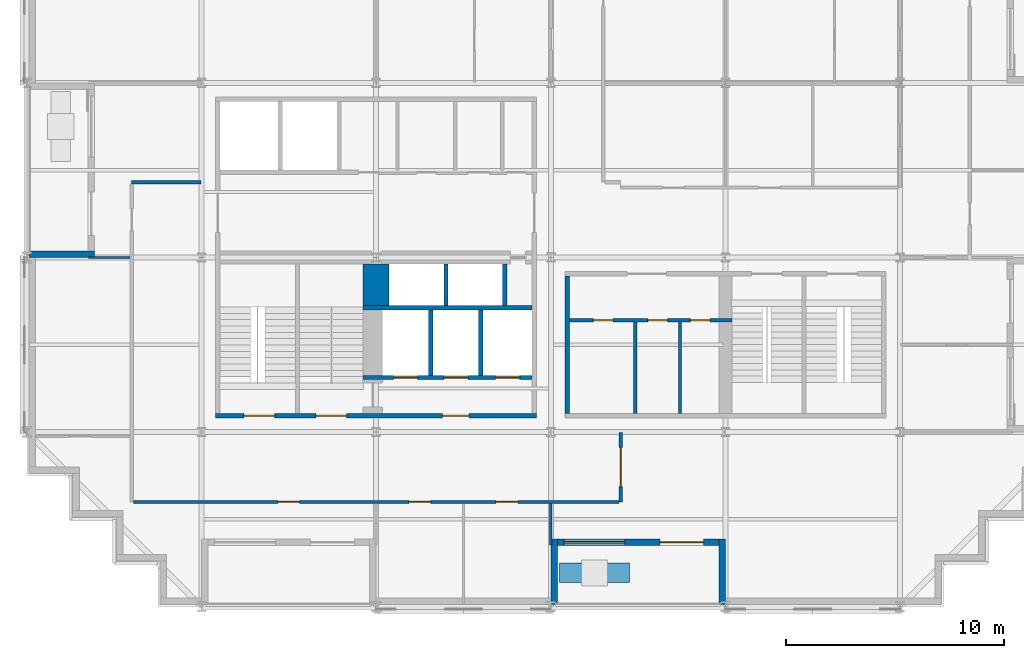
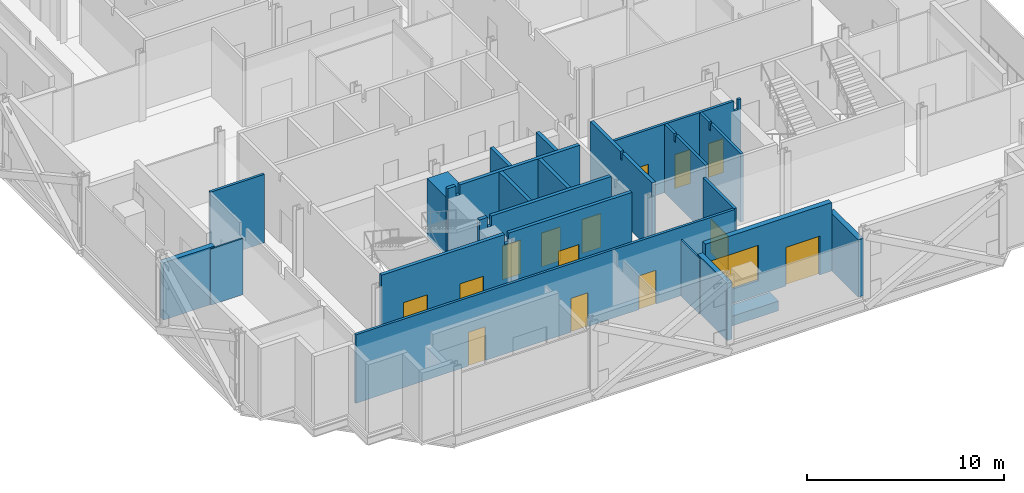
# One storey, part 6 of 15: 22 walls, 14 doors, 1 window, 15 openings.
"""IFC4 building model written with IfcOpenShell, lengths in metres."""

from ifc_helpers import new_model, si_unit, direction, frame, frame_2d, origin, place, context, subcontext, project, spatial, polyline, rectangle, outline, extrude, material, layer, layer_set, type_object, element, fill, save


model = new_model("IFC4")

# Units and contexts
model_context = context("Model", 3, precision=1e-05, world=origin(), true_north=direction((0.0, 1.0)))
body_context = subcontext(model_context, "Body", "Model", "MODEL_VIEW")
ifc_project = project(units=[si_unit("LENGTHUNIT", "METRE"), si_unit("AREAUNIT", "SQUARE_METRE"), si_unit("VOLUMEUNIT", "CUBIC_METRE"), si_unit("PLANEANGLEUNIT", "RADIAN"), si_unit("MASSUNIT", "GRAM", prefix="KILO")], contexts=[model_context])

# Site, building, storey
site_placement = place(None, origin())
site = spatial("IfcSite", under=ifc_project, at=site_placement, CompositionType="ELEMENT")
building_placement = place(site_placement, origin())
building = spatial("IfcBuilding", under=site, at=building_placement, Name="Immortelle Media Tower", CompositionType="ELEMENT")
storey_placement = place(building_placement, frame((0.0, 0.0, 92.0)))
storey = spatial("IfcBuildingStorey", under=building, at=storey_placement, Name="L17", CompositionType="ELEMENT", Elevation=92.0)

# Wall, openings, doors
ifc_material_1 = material(Name="Fire-rated gypsum board", Category="gypsum")
ifc_layer_1 = layer(ifc_material_1, 0.02490234375)
ifc_material_2 = material(Name="Steel ASTM A653 SS Gr 50 stud frame with mineral wool", Category="steel")
ifc_layer_2 = layer(ifc_material_2, 0.10009765625)
ifc_layer_3 = layer(ifc_material_1, 0.02490234375)
ifc_layer_set_1 = layer_set([ifc_layer_1, ifc_layer_2, ifc_layer_3], Name="Steel ASTM A653 SS Gr 50 stud frame with mineral wool")
wall_type_1 = type_object("IfcWallType", Name="Core partition 150", PredefinedType="PARTITIONING", material=ifc_layer_set_1)
wall_1_placement = place(storey_placement, frame((24.85009765625, 13.125, 0.0), z_axis=(0.0, 0.0, 1.0), x_axis=(1.0, 0.0, 0.0)))
wall_1 = element("IfcWall", 1, at=wall_1_placement, inside=storey, type_object=wall_type_1, Name="Core partition SE", PredefinedType="PARTITIONING", context=body_context, shape_type="SweptSolid", body=[
    extrude(outline(polyline([(0.0, 0.0), (7.449951171875, 0.0), (7.449951171875, 4.25), (7.26953125, 4.25), (7.2685546875, 3.632080078125), (7.031494140625, 3.632080078125), (7.030517578125, 4.25), (0.0, 4.25), (0.0, 0.0)])), frame((0.0, 0.074951171875, 0.0), z_axis=(0.0, -1.0, 0.0), x_axis=(1.0, 0.0, 0.0)), (0.0, 0.0, 1.0), 0.14990234375),
])
opening_1_placement = place(wall_1_placement, frame((2.0, 0.0, 0.0), z_axis=(0.0, 0.0, 1.0), x_axis=(-1.0, 0.0, 0.0)))
opening_1 = element("IfcOpeningElement", 2, at=opening_1_placement, cuts=wall_1, Name="Opening N5-K044", PredefinedType="OPENING", context=body_context, shape_type="SweptSolid", body=[
    extrude(rectangle(XDim=0.89990234375, YDim=2.10009765625, at=frame_2d((0.449951171875, 1.050048828125))), frame((0.0, 0.0849609375, 0.0), z_axis=(0.0, -1.0, 0.0), x_axis=(1.0, 0.0, 0.0)), (0.0, 0.0, 1.0), 0.169921875),
])
opening_2_placement = place(wall_1_placement, frame((4.5, 0.0, 0.0), z_axis=(0.0, 0.0, 1.0), x_axis=(-1.0, 0.0, 0.0)))
opening_2 = element("IfcOpeningElement", 3, at=opening_2_placement, cuts=wall_1, Name="Opening N5-K045", PredefinedType="OPENING", context=body_context, shape_type="SweptSolid", body=[
    extrude(rectangle(XDim=0.89990234375, YDim=2.10009765625, at=frame_2d((0.449951171875, 1.050048828125))), frame((0.0, 0.0849609375, 0.0), z_axis=(0.0, -1.0, 0.0), x_axis=(1.0, 0.0, 0.0)), (0.0, 0.0, 1.0), 0.169921875),
])
opening_3_placement = place(wall_1_placement, frame((6.449951171875, 0.0, 0.0), z_axis=(0.0, 0.0, 1.0), x_axis=(-1.0, 0.0, 0.0)))
opening_3 = element("IfcOpeningElement", 4, at=opening_3_placement, cuts=wall_1, Name="Opening N5-K046", PredefinedType="OPENING", context=body_context, shape_type="SweptSolid", body=[
    extrude(rectangle(XDim=0.89990234375, YDim=2.10009765625, at=frame_2d((0.449951171875, 1.050048828125))), frame((0.0, 0.0849609375, 0.0), z_axis=(0.0, -1.0, 0.0), x_axis=(1.0, 0.0, 0.0)), (0.0, 0.0, 1.0), 0.169921875),
])
ifc_material_3 = material(Name="Timber", Category="wood")
door_type_1 = type_object("IfcDoorType", Name="Room door 900 x 2100", OperationType="NOTDEFINED", PredefinedType="NOTDEFINED", material=ifc_material_3)
door_1_placement = place(opening_1_placement, origin())
door_1 = element("IfcDoor", 5, at=door_1_placement, inside=storey, type_object=door_type_1, Name="Room N5-K044", OperationType="SINGLE_SWING_LEFT", OverallHeight=2.10009765625, OverallWidth=0.89990234375, PredefinedType="NOTDEFINED", context=body_context, shape_type="SweptSolid", body=[
    extrude(rectangle(XDim=0.89990234375, YDim=2.10009765625, at=frame_2d((0.449951171875, 1.050048828125))), frame((0.0, 0.02490234375, 0.0), z_axis=(0.0, -1.0, 0.0), x_axis=(1.0, 0.0, 0.0)), (0.0, 0.0, 1.0), 0.050048828125),
])
fill(opening_1, door_1)
door_2_placement = place(opening_2_placement, origin())
door_2 = element("IfcDoor", 6, at=door_2_placement, inside=storey, type_object=door_type_1, Name="Room N5-K045", OperationType="SINGLE_SWING_RIGHT", OverallHeight=2.10009765625, OverallWidth=0.89990234375, PredefinedType="NOTDEFINED", context=body_context, shape_type="SweptSolid", body=[
    extrude(rectangle(XDim=0.89990234375, YDim=2.10009765625, at=frame_2d((0.449951171875, 1.050048828125))), frame((0.0, 0.02490234375, 0.0), z_axis=(0.0, -1.0, 0.0), x_axis=(1.0, 0.0, 0.0)), (0.0, 0.0, 1.0), 0.050048828125),
])
fill(opening_2, door_2)
ifc_material_4 = material(Name="Galvanised steel door leaf and frame ASTM A653", Category="steel")
door_type_2 = type_object("IfcDoorType", Name="Service door 900 x 2100", OperationType="NOTDEFINED", PredefinedType="NOTDEFINED", material=ifc_material_4)
door_3_placement = place(opening_3_placement, origin())
door_3 = element("IfcDoor", 7, at=door_3_placement, inside=storey, type_object=door_type_2, Name="Service N5-K046", OperationType="SINGLE_SWING_RIGHT", OverallHeight=2.10009765625, OverallWidth=0.89990234375, PredefinedType="NOTDEFINED", context=body_context, shape_type="SweptSolid", body=[
    extrude(rectangle(XDim=0.89990234375, YDim=2.10009765625, at=frame_2d((0.449951171875, 1.050048828125))), frame((0.0, 0.02490234375, 0.0), z_axis=(0.0, -1.0, 0.0), x_axis=(1.0, 0.0, 0.0)), (0.0, 0.0, 1.0), 0.050048828125),
])
fill(opening_3, door_3)

# Walls
for number, where, z_axis, x_axis, name in (
    (8, (27.875, 8.85009765625, 0.0), (0.0, 0.0, 1.0), (0.0, 1.0, 0.0), "Core partition SE"),
    (9, (29.925048828125, 8.85009765625, 0.0), (0.0, 0.0, 1.0), (0.0, 1.0, 0.0), "Core partition SE"),
):
    element("IfcWall", number, at=place(storey_placement, frame(where, z_axis=z_axis, x_axis=x_axis)), inside=storey, type_object=wall_type_1, Name=name, PredefinedType="PARTITIONING", context=body_context, shape_type="SweptSolid", body=[
        extrude(outline(polyline([(0.0, 0.0), (4.199951171875, 0.0), (4.199951171875, 4.25), (3.2314453125, 4.25), (3.23046875, 3.7890625), (3.069580078125, 3.7890625), (3.068603515625, 4.25), (0.0, 4.25), (0.0, 0.0)])), frame((0.0, 0.074951171875, 0.0), z_axis=(0.0, -1.0, 0.0), x_axis=(1.0, 0.0, 0.0)), (0.0, 0.0, 1.0), 0.14990234375),
    ])

# Wall, openings, doors
ifc_layer_4 = layer(ifc_material_1, 0.03759765625)
ifc_layer_5 = layer(ifc_material_2, 0.125)
ifc_layer_6 = layer(ifc_material_1, 0.03759765625)
ifc_layer_set_2 = layer_set([ifc_layer_4, ifc_layer_5, ifc_layer_6], Name="Steel ASTM A653 SS Gr 50 stud frame with mineral wool")
wall_type_2 = type_object("IfcWallType", Name="Core shaft wall 200", PredefinedType="PARTITIONING", material=ifc_layer_set_2)
wall_2_placement = place(storey_placement, frame((15.39990234375, 10.5, 0.0), z_axis=(0.0, 0.0, 1.0), x_axis=(1.0, 0.0, 0.0)))
wall_2 = element("IfcWall", 10, at=wall_2_placement, inside=storey, type_object=wall_type_2, Name="Core shaft wall SW", PredefinedType="PARTITIONING", context=body_context, shape_type="SweptSolid", body=[
    extrude(outline(polyline([(0.0, 0.0), (7.75, 0.0), (7.75, 4.25), (0.719482421875, 4.25), (0.718505859375, 3.632080078125), (0.4814453125, 3.632080078125), (0.48046875, 4.25), (0.0, 4.25), (0.0, 0.0)])), frame((0.0, 0.10009765625, 0.0), z_axis=(0.0, -1.0, 0.0), x_axis=(1.0, 0.0, 0.0)), (0.0, 0.0, 1.0), 0.199951171875),
])
opening_4_placement = place(wall_2_placement, frame((1.39990234375, 0.0, 0.0)))
opening_4 = element("IfcOpeningElement", 11, at=opening_4_placement, cuts=wall_2, Name="Opening LD", PredefinedType="OPENING", context=body_context, shape_type="SweptSolid", body=[
    extrude(rectangle(XDim=1.10009765625, YDim=2.10009765625, at=frame_2d((0.550048828125, 1.050048828125))), frame((0.0, 0.10986328125, 0.0), z_axis=(0.0, -1.0, 0.0), x_axis=(1.0, 0.0, 0.0)), (0.0, 0.0, 1.0), 0.219970703125),
])
opening_5_placement = place(wall_2_placement, frame((3.699951171875, 0.0, 0.0)))
opening_5 = element("IfcOpeningElement", 12, at=opening_5_placement, cuts=wall_2, Name="Opening LD", PredefinedType="OPENING", context=body_context, shape_type="SweptSolid", body=[
    extrude(rectangle(XDim=1.10009765625, YDim=2.10009765625, at=frame_2d((0.550048828125, 1.050048828125))), frame((0.0, 0.10986328125, 0.0), z_axis=(0.0, -1.0, 0.0), x_axis=(1.0, 0.0, 0.0)), (0.0, 0.0, 1.0), 0.219970703125),
])
opening_6_placement = place(wall_2_placement, frame((6.074951171875, 0.0, 0.0)))
opening_6 = element("IfcOpeningElement", 13, at=opening_6_placement, cuts=wall_2, Name="Opening LD", PredefinedType="OPENING", context=body_context, shape_type="SweptSolid", body=[
    extrude(rectangle(XDim=1.10009765625, YDim=2.10009765625, at=frame_2d((0.550048828125, 1.050048828125))), frame((0.0, 0.10986328125, 0.0), z_axis=(0.0, -1.0, 0.0), x_axis=(1.0, 0.0, 0.0)), (0.0, 0.0, 1.0), 0.219970703125),
])
ifc_material_5 = material(Name="Stainless steel AISI 304", Category="steel")
door_type_3 = type_object("IfcDoorType", Name="Landing door 1100 x 2100", OperationType="SLIDING_TO_LEFT", PredefinedType="NOTDEFINED", material=ifc_material_5)
door_4_placement = place(opening_4_placement, origin())
door_4 = element("IfcDoor", 14, at=door_4_placement, inside=storey, type_object=door_type_3, Name="Landing door FF1 L17", OperationType="SLIDING_TO_LEFT", OverallHeight=2.10009765625, OverallWidth=1.10009765625, PredefinedType="NOTDEFINED", context=body_context, shape_type="SweptSolid", body=[
    extrude(rectangle(XDim=1.10009765625, YDim=2.10009765625, at=frame_2d((0.550048828125, 1.050048828125))), frame((0.0, 0.02490234375, 0.0), z_axis=(0.0, -1.0, 0.0), x_axis=(1.0, 0.0, 0.0)), (0.0, 0.0, 1.0), 0.050048828125),
])
fill(opening_4, door_4)
door_5_placement = place(opening_5_placement, origin())
door_5 = element("IfcDoor", 15, at=door_5_placement, inside=storey, type_object=door_type_3, Name="Landing door FF2 L17", OperationType="SLIDING_TO_LEFT", OverallHeight=2.10009765625, OverallWidth=1.10009765625, PredefinedType="NOTDEFINED", context=body_context, shape_type="SweptSolid", body=[
    extrude(rectangle(XDim=1.10009765625, YDim=2.10009765625, at=frame_2d((0.550048828125, 1.050048828125))), frame((0.0, 0.02490234375, 0.0), z_axis=(0.0, -1.0, 0.0), x_axis=(1.0, 0.0, 0.0)), (0.0, 0.0, 1.0), 0.050048828125),
])
fill(opening_5, door_5)
door_6_placement = place(opening_6_placement, origin())
door_6 = element("IfcDoor", 16, at=door_6_placement, inside=storey, type_object=door_type_3, Name="Landing door FF3 L17", OperationType="SLIDING_TO_LEFT", OverallHeight=2.10009765625, OverallWidth=1.10009765625, PredefinedType="NOTDEFINED", context=body_context, shape_type="SweptSolid", body=[
    extrude(rectangle(XDim=1.10009765625, YDim=2.10009765625, at=frame_2d((0.550048828125, 1.050048828125))), frame((0.0, 0.02490234375, 0.0), z_axis=(0.0, -1.0, 0.0), x_axis=(1.0, 0.0, 0.0)), (0.0, 0.0, 1.0), 0.050048828125),
])
fill(opening_6, door_6)

# Walls
wall_3_placement = place(storey_placement, frame((15.39990234375, 13.699951171875, 0.0), z_axis=(0.0, 0.0, 1.0), x_axis=(1.0, 0.0, 0.0)))
element("IfcWall", 17, at=wall_3_placement, inside=storey, type_object=wall_type_2, Name="Core shaft wall SW", PredefinedType="PARTITIONING", context=body_context, shape_type="SweptSolid", body=[
    extrude(outline(polyline([(0.0, 0.0), (7.75, 0.0), (7.75, 4.25), (0.719482421875, 4.25), (0.718505859375, 3.632080078125), (0.4814453125, 3.632080078125), (0.48046875, 4.25), (0.0, 4.25), (0.0, 0.0)])), frame((0.0, 0.10009765625, 0.0), z_axis=(0.0, -1.0, 0.0), x_axis=(1.0, 0.0, 0.0)), (0.0, 0.0, 1.0), 0.199951171875),
])
wall_4_placement = place(storey_placement, frame((18.5, 10.60009765625, 0.0), z_axis=(0.0, 0.0, 1.0), x_axis=(0.0, 1.0, 0.0)))
element("IfcWall", 18, at=wall_4_placement, inside=storey, type_object=wall_type_2, Name="Core shaft wall SW", PredefinedType="PARTITIONING", context=body_context, shape_type="SweptSolid", body=[
    extrude(rectangle(XDim=3.0, YDim=0.199951171875, at=frame_2d((1.5, 0.0))), origin(), (0.0, 0.0, 1.0), 4.25),
])
wall_5_placement = place(storey_placement, frame((19.199951171875, 13.800048828125, 0.0), z_axis=(0.0, 0.0, 1.0), x_axis=(0.0, 1.0, 0.0)))
element("IfcWall", 19, at=wall_5_placement, inside=storey, type_object=wall_type_2, Name="Core shaft wall SW", PredefinedType="PARTITIONING", context=body_context, shape_type="SweptSolid", body=[
    extrude(rectangle(XDim=1.89990234375, YDim=0.199951171875, at=frame_2d((0.949951171875, 0.0))), origin(), (0.0, 0.0, 1.0), 4.25),
])
wall_6_placement = place(storey_placement, frame((20.800048828125, 10.60009765625, 0.0), z_axis=(0.0, 0.0, 1.0), x_axis=(0.0, 1.0, 0.0)))
element("IfcWall", 20, at=wall_6_placement, inside=storey, type_object=wall_type_2, Name="Core shaft wall SW", PredefinedType="PARTITIONING", context=body_context, shape_type="SweptSolid", body=[
    extrude(rectangle(XDim=3.0, YDim=0.199951171875, at=frame_2d((1.5, 0.0))), origin(), (0.0, 0.0, 1.0), 4.25),
])
wall_7_placement = place(storey_placement, frame((21.89990234375, 13.800048828125, 0.0), z_axis=(0.0, 0.0, 1.0), x_axis=(0.0, 1.0, 0.0)))
element("IfcWall", 21, at=wall_7_placement, inside=storey, type_object=wall_type_2, Name="Core shaft wall SW", PredefinedType="PARTITIONING", context=body_context, shape_type="SweptSolid", body=[
    extrude(rectangle(XDim=1.89990234375, YDim=0.199951171875, at=frame_2d((0.949951171875, 0.0))), origin(), (0.0, 0.0, 1.0), 4.25),
])
wall_8_placement = place(storey_placement, frame((24.75, 8.85009765625, 0.0), z_axis=(0.0, 0.0, 1.0), x_axis=(0.0, 1.0, 0.0)))
element("IfcWall", 22, at=wall_8_placement, inside=storey, type_object=wall_type_2, Name="Core shaft wall SE", PredefinedType="PARTITIONING", context=body_context, shape_type="SweptSolid", body=[
    extrude(outline(polyline([(0.0, 0.0), (6.2998046875, 0.0), (6.300048828125, 4.25), (3.2314453125, 4.25), (3.23046875, 3.7890625), (3.069580078125, 3.7890625), (3.068603515625, 4.25), (0.0, 4.25), (0.0, 0.0)])), frame((0.0, 0.10009765625, 0.0), z_axis=(0.0, -1.0, 0.0), x_axis=(1.0, 0.0, 0.0)), (0.0, 0.0, 1.0), 0.199951171875),
])

# Wall, openings, doors
ifc_layer_7 = layer(ifc_material_1, 0.012451171875)
ifc_layer_8 = layer(ifc_material_2, 0.125)
ifc_layer_9 = layer(ifc_material_1, 0.012451171875)
ifc_layer_set_3 = layer_set([ifc_layer_7, ifc_layer_8, ifc_layer_9], Name="Steel ASTM A653 SS Gr 50 stud frame with mineral wool")
wall_type_3 = type_object("IfcWallType", Name="Corridor wall 150", PredefinedType="PARTITIONING", material=ifc_layer_set_3)
wall_9_placement = place(storey_placement, frame((4.875, 4.800048828125, 0.0), z_axis=(0.0, 0.0, 1.0), x_axis=(1.0, 0.0, 0.0)))
wall_9 = element("IfcWall", 23, at=wall_9_placement, inside=storey, type_object=wall_type_3, Name="Partition L17-004", PredefinedType="PARTITIONING", context=body_context, shape_type="SweptSolid", body=[
    extrude(rectangle(XDim=22.25, YDim=0.14990234375, at=frame_2d((11.125, 0.0))), origin(), (0.0, 0.0, 1.0), 4.25),
])
opening_7_placement = place(wall_9_placement, frame((13.625, 0.0, 0.0), z_axis=(0.0, 0.0, 1.0), x_axis=(-1.0, 0.0, 0.0)))
opening_7 = element("IfcOpeningElement", 24, at=opening_7_placement, cuts=wall_9, Name="Opening N5-F001", PredefinedType="OPENING", context=body_context, shape_type="SweptSolid", body=[
    extrude(rectangle(XDim=1.0, YDim=2.10009765625, at=frame_2d((0.5, 1.050048828125))), frame((0.0, 0.0849609375, 0.0), z_axis=(0.0, -1.0, 0.0), x_axis=(1.0, 0.0, 0.0)), (0.0, 0.0, 1.0), 0.169921875),
])
opening_8_placement = place(wall_9_placement, frame((17.625, 0.0, 0.0), z_axis=(0.0, 0.0, 1.0), x_axis=(-1.0, 0.0, 0.0)))
opening_8 = element("IfcOpeningElement", 25, at=opening_8_placement, cuts=wall_9, Name="Opening N5-F002", PredefinedType="OPENING", context=body_context, shape_type="SweptSolid", body=[
    extrude(rectangle(XDim=1.0, YDim=2.10009765625, at=frame_2d((0.5, 1.050048828125))), frame((0.0, 0.0849609375, 0.0), z_axis=(0.0, -1.0, 0.0), x_axis=(1.0, 0.0, 0.0)), (0.0, 0.0, 1.0), 0.169921875),
])
opening_9_placement = place(wall_9_placement, frame((7.625, 0.0, 0.0), z_axis=(0.0, 0.0, 1.0), x_axis=(-1.0, 0.0, 0.0)))
opening_9 = element("IfcOpeningElement", 26, at=opening_9_placement, cuts=wall_9, Name="Opening N5-F004", PredefinedType="OPENING", context=body_context, shape_type="SweptSolid", body=[
    extrude(rectangle(XDim=1.0, YDim=2.10009765625, at=frame_2d((0.5, 1.050048828125))), frame((0.0, 0.0849609375, 0.0), z_axis=(0.0, -1.0, 0.0), x_axis=(1.0, 0.0, 0.0)), (0.0, 0.0, 1.0), 0.169921875),
])
ifc_material_6 = material(Name="Timber veneered door leaf, galvanised steel frame ASTM A653", Category="steel")
door_type_4 = type_object("IfcDoorType", Name="Room door 1000 x 2100", OperationType="NOTDEFINED", PredefinedType="DOOR", material=ifc_material_6)
door_7_placement = place(opening_7_placement, origin())
door_7 = element("IfcDoor", 27, at=door_7_placement, inside=storey, type_object=door_type_4, Name="Door N5-F001", OperationType="SINGLE_SWING_RIGHT", OverallHeight=2.10009765625, OverallWidth=1.0, PredefinedType="DOOR", context=body_context, shape_type="SweptSolid", body=[
    extrude(rectangle(XDim=1.0, YDim=2.10009765625, at=frame_2d((0.5, 1.050048828125))), frame((0.0, 0.02490234375, 0.0), z_axis=(0.0, -1.0, 0.0), x_axis=(1.0, 0.0, 0.0)), (0.0, 0.0, 1.0), 0.050048828125),
])
fill(opening_7, door_7)
door_8_placement = place(opening_8_placement, origin())
door_8 = element("IfcDoor", 28, at=door_8_placement, inside=storey, type_object=door_type_4, Name="Door N5-F002", OperationType="SINGLE_SWING_RIGHT", OverallHeight=2.10009765625, OverallWidth=1.0, PredefinedType="DOOR", context=body_context, shape_type="SweptSolid", body=[
    extrude(rectangle(XDim=1.0, YDim=2.10009765625, at=frame_2d((0.5, 1.050048828125))), frame((0.0, 0.02490234375, 0.0), z_axis=(0.0, -1.0, 0.0), x_axis=(1.0, 0.0, 0.0)), (0.0, 0.0, 1.0), 0.050048828125),
])
fill(opening_8, door_8)
door_9_placement = place(opening_9_placement, origin())
door_9 = element("IfcDoor", 29, at=door_9_placement, inside=storey, type_object=door_type_4, Name="Door N5-F004", OperationType="SINGLE_SWING_LEFT", OverallHeight=2.10009765625, OverallWidth=1.0, PredefinedType="DOOR", context=body_context, shape_type="SweptSolid", body=[
    extrude(rectangle(XDim=1.0, YDim=2.10009765625, at=frame_2d((0.5, 1.050048828125))), frame((0.0, 0.02490234375, 0.0), z_axis=(0.0, -1.0, 0.0), x_axis=(1.0, 0.0, 0.0)), (0.0, 0.0, 1.0), 0.050048828125),
])
fill(opening_9, door_9)

# Wall, opening, door
wall_10_placement = place(storey_placement, frame((27.199951171875, 4.800048828125, 0.0), z_axis=(0.0, 0.0, 1.0), x_axis=(0.0, 1.0, 0.0)))
wall_10 = element("IfcWall", 30, at=wall_10_placement, inside=storey, type_object=wall_type_3, Name="Partition L17-006", PredefinedType="PARTITIONING", context=body_context, shape_type="SweptSolid", body=[
    extrude(rectangle(XDim=3.169921875, YDim=0.14990234375, at=frame_2d((1.5849609375, 0.0))), origin(), (0.0, 0.0, 1.0), 4.25),
])
opening_10_placement = place(wall_10_placement, frame((0.699951171875, 0.0, 0.0)))
opening_10 = element("IfcOpeningElement", 31, at=opening_10_placement, cuts=wall_10, Name="Opening N5-F003", PredefinedType="OPENING", context=body_context, shape_type="SweptSolid", body=[
    extrude(rectangle(XDim=1.800048828125, YDim=2.10009765625, at=frame_2d((0.89990234375, 1.050048828125))), frame((0.0, 0.0849609375, 0.0), z_axis=(0.0, -1.0, 0.0), x_axis=(1.0, 0.0, 0.0)), (0.0, 0.0, 1.0), 0.169921875),
])
door_type_5 = type_object("IfcDoorType", Name="Room door 1800 x 2100", OperationType="DOUBLE_DOOR_SINGLE_SWING", PredefinedType="DOOR", material=ifc_material_6)
door_10_placement = place(opening_10_placement, origin())
door_10 = element("IfcDoor", 32, at=door_10_placement, inside=storey, type_object=door_type_5, Name="Door N5-F003", OperationType="DOUBLE_DOOR_SINGLE_SWING", OverallHeight=2.10009765625, OverallWidth=1.800048828125, PredefinedType="DOOR", context=body_context, shape_type="SweptSolid", body=[
    extrude(rectangle(XDim=1.800048828125, YDim=2.10009765625, at=frame_2d((0.89990234375, 1.050048828125))), frame((0.0, 0.02490234375, 0.0), z_axis=(0.0, -1.0, 0.0), x_axis=(1.0, 0.0, 0.0)), (0.0, 0.0, 1.0), 0.050048828125),
])
fill(opening_10, door_10)

# Walls
wall_11_placement = place(storey_placement, frame((4.800048828125, 19.449951171875, 0.0), z_axis=(0.0, 0.0, 1.0), x_axis=(1.0, 0.0, 0.0)))
element("IfcWall", 33, at=wall_11_placement, inside=storey, type_object=wall_type_3, Name="Partition L17-018", PredefinedType="PARTITIONING", context=body_context, shape_type="SweptSolid", body=[
    extrude(rectangle(XDim=3.169921875, YDim=0.14990234375, at=frame_2d((1.5849609375, 0.0))), origin(), (0.0, 0.0, 1.0), 4.25),
])
ifc_material_7 = material(Name="Pale aluminium cladding panel", Category="aluminium")
ifc_layer_10 = layer(ifc_material_7, 0.030029296875)
ifc_layer_11 = layer(ifc_material_2, 0.257568359375)
ifc_material_8 = material(Name="Moisture-resistant gypsum board", Category="gypsum")
ifc_layer_12 = layer(ifc_material_8, 0.012451171875)
ifc_layer_set_4 = layer_set([ifc_layer_10, ifc_layer_11, ifc_layer_12], Name="Steel ASTM A653 SS Gr 50 stud frame with mineral wool")
wall_type_4 = type_object("IfcWallType", Name="Facade wall 300", PredefinedType="SOLIDWALL", material=ifc_layer_set_4)
wall_12_placement = place(storey_placement, frame((0.10009765625, 16.14990234375, 0.0), z_axis=(0.0, 0.0, 1.0), x_axis=(1.0, 0.0, 0.0)))
element("IfcWall", 34, at=wall_12_placement, inside=storey, type_object=wall_type_4, Name="Loggia cheek wall L17 W", PredefinedType="SOLIDWALL", context=body_context, shape_type="SweptSolid", body=[
    extrude(rectangle(XDim=3.0, YDim=0.300048828125, at=frame_2d((1.5, 0.0))), origin(), (0.0, 0.0, 1.0), 3.555908203125),
])

# Wall, openings, door, window
wall_13_placement = place(storey_placement, frame((24.300048828125, 2.949951171875, 0.0), z_axis=(0.0, 0.0, 1.0), x_axis=(1.0, 0.0, 0.0)))
wall_13 = element("IfcWall", 35, at=wall_13_placement, inside=storey, type_object=wall_type_4, Name="Loggia wall L17 S7", PredefinedType="SOLIDWALL", context=body_context, shape_type="SweptSolid", body=[
    extrude(rectangle(XDim=7.39990234375, YDim=0.300048828125, at=frame_2d((3.699951171875, 0.0))), origin(), (0.0, 0.0, 1.0), 4.25),
])
opening_11_placement = place(wall_13_placement, frame((0.300048828125, 0.0, 0.89990234375)))
opening_11 = element("IfcOpeningElement", 36, at=opening_11_placement, cuts=wall_13, Name="Opening W1", PredefinedType="OPENING", context=body_context, shape_type="SweptSolid", body=[
    extrude(rectangle(XDim=2.800048828125, YDim=2.199951171875, at=frame_2d((1.39990234375, 1.10009765625))), frame((0.0, 0.159912109375, 0.0), z_axis=(0.0, -1.0, 0.0), x_axis=(1.0, 0.0, 0.0)), (0.0, 0.0, 1.0), 0.320068359375),
])
opening_12_placement = place(wall_13_placement, frame((4.699951171875, 0.0, 0.0)))
opening_12 = element("IfcOpeningElement", 37, at=opening_12_placement, cuts=wall_13, Name="Opening N5-E004", PredefinedType="OPENING", context=body_context, shape_type="SweptSolid", body=[
    extrude(rectangle(XDim=2.0, YDim=2.39990234375, at=frame_2d((1.0, 1.199951171875))), frame((0.0, 0.159912109375, 0.0), z_axis=(0.0, -1.0, 0.0), x_axis=(1.0, 0.0, 0.0)), (0.0, 0.0, 1.0), 0.320068359375),
])
ifc_material_9 = material(Name="Aluminium frame, glazed leaves", Category="aluminium")
door_type_6 = type_object("IfcDoorType", Name="Loggia door 2000 x 2400", OperationType="DOUBLE_DOOR_SINGLE_SWING", PredefinedType="DOOR", material=ifc_material_9)
door_11_placement = place(opening_12_placement, origin())
door_11 = element("IfcDoor", 38, at=door_11_placement, inside=storey, type_object=door_type_6, Name="Door N5-E004", OperationType="DOUBLE_DOOR_SINGLE_SWING", OverallHeight=2.39990234375, OverallWidth=2.0, PredefinedType="DOOR", context=body_context, shape_type="SweptSolid", body=[
    extrude(rectangle(XDim=2.0, YDim=2.39990234375, at=frame_2d((1.0, 1.199951171875))), frame((0.0, 0.02490234375, 0.0), z_axis=(0.0, -1.0, 0.0), x_axis=(1.0, 0.0, 0.0)), (0.0, 0.0, 1.0), 0.050048828125),
])
fill(opening_12, door_11)
ifc_material_10 = material(Name="Aluminium frame", Category="aluminium")
window_type = type_object("IfcWindowType", Name="Window 2800 x 2200", PartitioningType="SINGLE_PANEL", PredefinedType="WINDOW", material=ifc_material_10)
window_placement = place(opening_11_placement, origin())
window = element("IfcWindow", 39, at=window_placement, inside=storey, type_object=window_type, Name="Window L17 L17-R7-B2", OverallHeight=2.199951171875, OverallWidth=2.800048828125, PartitioningType="SINGLE_PANEL", PredefinedType="WINDOW", context=body_context, shape_type="SweptSolid", body=[
    extrude(rectangle(XDim=2.800048828125, YDim=2.199951171875, at=frame_2d((1.39990234375, 1.10009765625))), frame((0.0, 0.030029296875, 0.0), z_axis=(0.0, -1.0, 0.0), x_axis=(1.0, 0.0, 0.0)), (0.0, 0.0, 1.0), 0.06005859375),
])
fill(opening_11, window)

# Walls
for number, where, z_axis, x_axis, name in (
    (40, (24.14990234375, 0.10009765625, 0.0), (0.0, 0.0, 1.0), (0.0, 1.0, 0.0), "Loggia cheek wall L17 S"),
    (41, (31.85009765625, 0.10009765625, 0.0), (0.0, 0.0, 1.0), (0.0, 1.0, 0.0), "Loggia cheek wall L17 S"),
):
    element("IfcWall", number, at=place(storey_placement, frame(where, z_axis=z_axis, x_axis=x_axis)), inside=storey, type_object=wall_type_4, Name=name, PredefinedType="SOLIDWALL", context=body_context, shape_type="SweptSolid", body=[
        extrude(rectangle(XDim=3.0, YDim=0.300048828125, at=frame_2d((1.5, 0.0))), origin(), (0.0, 0.0, 1.0), 3.555908203125),
    ])
ifc_material_11 = material(Name="Gypsum board", Category="gypsum")
ifc_layer_13 = layer(ifc_material_11, 0.012451171875)
ifc_layer_14 = layer(ifc_material_2, 0.074951171875)
ifc_layer_15 = layer(ifc_material_11, 0.012451171875)
ifc_layer_set_5 = layer_set([ifc_layer_13, ifc_layer_14, ifc_layer_15], Name="Steel ASTM A653 SS Gr 50 stud frame with mineral wool")
wall_type_5 = type_object("IfcWallType", Name="Partition 100", PredefinedType="PARTITIONING", material=ifc_layer_set_5)
for number, where, z_axis, x_axis, name in (
    (42, (24.0, 2.830078125, 0.0), (0.0, 0.0, 1.0), (0.0, 1.0, 0.0), "Partition L17-003"),
    (43, (2.830078125, 16.0, 0.0), (0.0, 0.0, 1.0), (1.0, 0.0, 0.0), "Partition L17-010"),
):
    element("IfcWall", number, at=place(storey_placement, frame(where, z_axis=z_axis, x_axis=x_axis)), inside=storey, type_object=wall_type_5, Name=name, PredefinedType="PARTITIONING", context=body_context, shape_type="SweptSolid", body=[
        extrude(rectangle(XDim=1.89501953125, YDim=0.10009765625, at=frame_2d((0.947509765625, 0.0))), origin(), (0.0, 0.0, 1.0), 3.469970703125),
    ])
ifc_layer_16 = layer(ifc_material_7, 0.0029296875)
ifc_material_12 = material(Name="Steel ASTM A572 Gr 50 planter shell", Category="steel")
ifc_layer_17 = layer(ifc_material_12, 0.011962890625)
ifc_material_13 = material(Name="Planting substrate", Category="soil")
ifc_layer_18 = layer(ifc_material_13, 0.873046875)
ifc_layer_19 = layer(ifc_material_12, 0.011962890625)
ifc_layer_set_6 = layer_set([ifc_layer_16, ifc_layer_17, ifc_layer_18, ifc_layer_19], Name="Steel ASTM A572 Gr 50 planter shell")
wall_type_6 = type_object("IfcWallType", Name="Planter wall 900", PredefinedType="SOLIDWALL", material=ifc_layer_set_6)
wall_14_placement = place(storey_placement, frame((24.39990234375, 1.550048828125, 0.0), z_axis=(0.0, 0.0, 1.0), x_axis=(1.0, 0.0, 0.0)))
element("IfcWall", 44, at=wall_14_placement, inside=storey, type_object=wall_type_6, Name="Planter L17 S2", PredefinedType="SOLIDWALL", context=body_context, shape_type="SweptSolid", body=[
    extrude(rectangle(XDim=3.2001953125, YDim=0.89990234375, at=frame_2d((1.60009765625, 0.0))), origin(), (0.0, 0.0, 1.0), 0.60009765625),
])
ifc_material_14 = material(Name="Concrete C60", Category="concrete")
ifc_layer_20 = layer(ifc_material_14, 1.199951171875)
ifc_layer_set_7 = layer_set([ifc_layer_20], Name="Concrete C60")
wall_type_7 = type_object("IfcWallType", Name="Stair shaft wall 1200", PredefinedType="PARTITIONING", material=ifc_layer_set_7)
wall_15_placement = place(storey_placement, frame((16.0, 13.800048828125, 0.0), z_axis=(0.0, 0.0, 1.0), x_axis=(0.0, 1.0, 0.0)))
element("IfcWall", 45, at=wall_15_placement, inside=storey, type_object=wall_type_7, Name="Stair shaft wall SW", PredefinedType="PARTITIONING", context=body_context, shape_type="SweptSolid", body=[
    extrude(rectangle(XDim=1.89990234375, YDim=1.199951171875, at=frame_2d((0.949951171875, 0.0))), origin(), (0.0, 0.0, 1.0), 3.632080078125),
])

# Wall, openings, doors
ifc_layer_21 = layer(ifc_material_14, 0.199951171875)
ifc_layer_set_8 = layer_set([ifc_layer_21], Name="Concrete C60")
wall_type_8 = type_object("IfcWallType", Name="Stair shaft wall 200", PredefinedType="PARTITIONING", material=ifc_layer_set_8)
wall_16_placement = place(storey_placement, frame((8.64990234375, 8.75, 0.0), z_axis=(0.0, 0.0, 1.0), x_axis=(1.0, 0.0, 0.0)))
wall_16 = element("IfcWall", 46, at=wall_16_placement, inside=storey, type_object=wall_type_8, Name="Stair shaft wall SW", PredefinedType="PARTITIONING", context=body_context, shape_type="SweptSolid", body=[
    extrude(outline(polyline([(0.0, 0.0), (14.7001953125, 0.0), (14.699951171875, 4.25), (7.469482421875, 4.25), (7.468505859375, 3.632080078125), (7.2314453125, 3.632080078125), (7.23046875, 4.25), (0.0, 4.25), (0.0, 0.0)])), frame((0.0, 0.10009765625, 0.0), z_axis=(0.0, -1.0, 0.0), x_axis=(1.0, 0.0, 0.0)), (0.0, 0.0, 1.0), 0.199951171875),
])
opening_13_placement = place(wall_16_placement, frame((1.300048828125, 0.0, 0.0)))
opening_13 = element("IfcOpeningElement", 47, at=opening_13_placement, cuts=wall_16, Name="Opening N5-K002", PredefinedType="OPENING", context=body_context, shape_type="SweptSolid", body=[
    extrude(rectangle(XDim=1.39990234375, YDim=2.10009765625, at=frame_2d((0.699951171875, 1.050048828125))), frame((0.0, 0.10986328125, 0.0), z_axis=(0.0, -1.0, 0.0), x_axis=(1.0, 0.0, 0.0)), (0.0, 0.0, 1.0), 0.219970703125),
])
opening_14_placement = place(wall_16_placement, frame((4.60009765625, 0.0, 0.0)))
opening_14 = element("IfcOpeningElement", 48, at=opening_14_placement, cuts=wall_16, Name="Opening N5-K004", PredefinedType="OPENING", context=body_context, shape_type="SweptSolid", body=[
    extrude(rectangle(XDim=1.39990234375, YDim=2.10009765625, at=frame_2d((0.699951171875, 1.050048828125))), frame((0.0, 0.10986328125, 0.0), z_axis=(0.0, -1.0, 0.0), x_axis=(1.0, 0.0, 0.0)), (0.0, 0.0, 1.0), 0.219970703125),
])
opening_15_placement = place(wall_16_placement, frame((10.39990234375, 0.0, 0.0)))
opening_15 = element("IfcOpeningElement", 49, at=opening_15_placement, cuts=wall_16, Name="Opening N5-K010", PredefinedType="OPENING", context=body_context, shape_type="SweptSolid", body=[
    extrude(rectangle(XDim=1.199951171875, YDim=2.10009765625, at=frame_2d((0.60009765625, 1.050048828125))), frame((0.0, 0.10986328125, 0.0), z_axis=(0.0, -1.0, 0.0), x_axis=(1.0, 0.0, 0.0)), (0.0, 0.0, 1.0), 0.219970703125),
])
door_type_7 = type_object("IfcDoorType", Name="Fire-fighting lobby door 1200 x 2100", OperationType="NOTDEFINED", PredefinedType="NOTDEFINED", material=ifc_material_4)
door_12_placement = place(opening_15_placement, origin())
door_12 = element("IfcDoor", 50, at=door_12_placement, inside=storey, type_object=door_type_7, Name="Fire-fighting lobby N5-K010", OperationType="SINGLE_SWING_LEFT", OverallHeight=2.10009765625, OverallWidth=1.199951171875, PredefinedType="NOTDEFINED", context=body_context, shape_type="SweptSolid", body=[
    extrude(rectangle(XDim=1.199951171875, YDim=2.10009765625, at=frame_2d((0.60009765625, 1.050048828125))), frame((0.0, 0.02490234375, 0.0), z_axis=(0.0, -1.0, 0.0), x_axis=(1.0, 0.0, 0.0)), (0.0, 0.0, 1.0), 0.050048828125),
])
fill(opening_15, door_12)
door_type_8 = type_object("IfcDoorType", Name="Stair door 1400 x 2100", OperationType="DOUBLE_DOOR_SINGLE_SWING", PredefinedType="NOTDEFINED", material=ifc_material_4)
door_13_placement = place(opening_13_placement, origin())
door_13 = element("IfcDoor", 51, at=door_13_placement, inside=storey, type_object=door_type_8, Name="Stair N5-K002", OperationType="DOUBLE_DOOR_SINGLE_SWING", OverallHeight=2.10009765625, OverallWidth=1.39990234375, PredefinedType="NOTDEFINED", context=body_context, shape_type="SweptSolid", body=[
    extrude(rectangle(XDim=1.39990234375, YDim=2.10009765625, at=frame_2d((0.699951171875, 1.050048828125))), frame((0.0, 0.02490234375, 0.0), z_axis=(0.0, -1.0, 0.0), x_axis=(1.0, 0.0, 0.0)), (0.0, 0.0, 1.0), 0.050048828125),
])
fill(opening_13, door_13)
door_14_placement = place(opening_14_placement, origin())
door_14 = element("IfcDoor", 52, at=door_14_placement, inside=storey, type_object=door_type_8, Name="Stair N5-K004", OperationType="DOUBLE_DOOR_SINGLE_SWING", OverallHeight=2.10009765625, OverallWidth=1.39990234375, PredefinedType="NOTDEFINED", context=body_context, shape_type="SweptSolid", body=[
    extrude(rectangle(XDim=1.39990234375, YDim=2.10009765625, at=frame_2d((0.699951171875, 1.050048828125))), frame((0.0, 0.02490234375, 0.0), z_axis=(0.0, -1.0, 0.0), x_axis=(1.0, 0.0, 0.0)), (0.0, 0.0, 1.0), 0.050048828125),
])
fill(opening_14, door_14)

save(model, "model.ifc")
